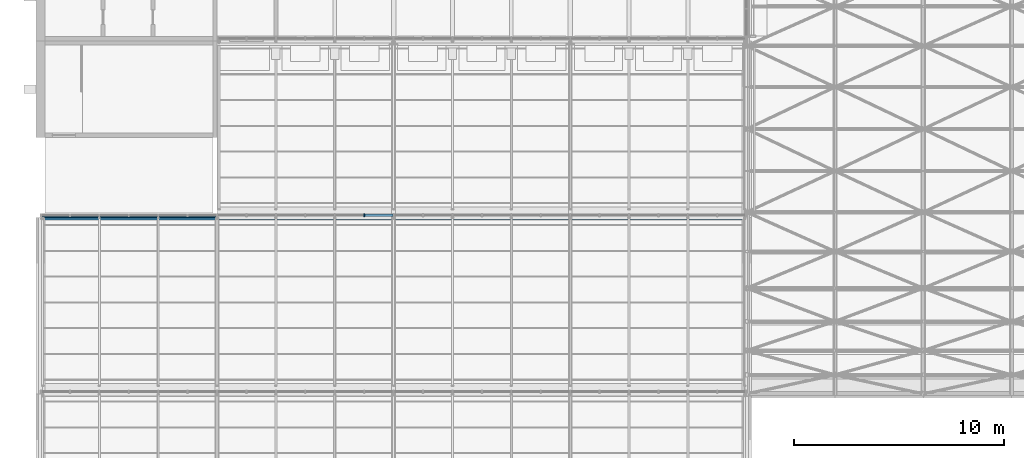
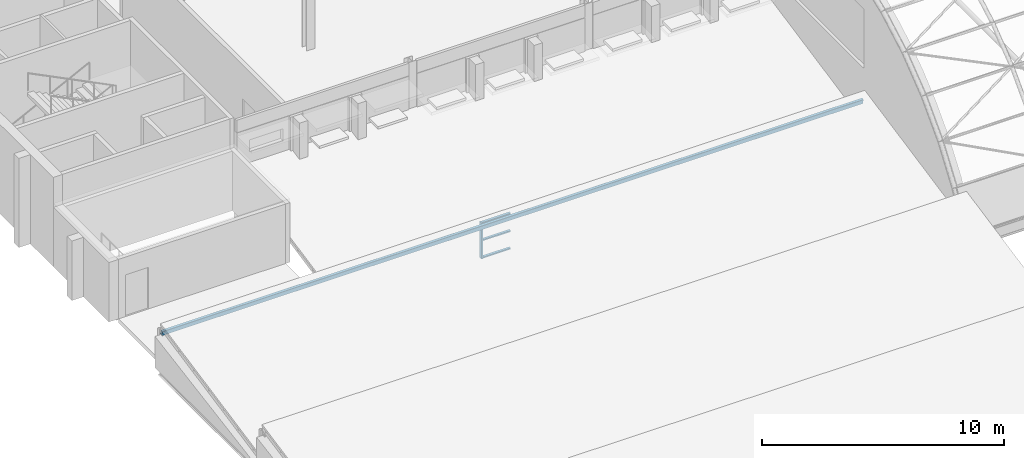
# One storey, part 32 of 121: 4 members, 1 beam, 1 element without a shape of its own.
"""IFC4 building model written with IfcOpenShell, lengths in metres."""

from ifc_helpers import new_model, si_unit, direction, frame, origin, origin_2d, place, context, subcontext, project, spatial, rectangle, hollow_rectangle, extrude, material, layer, layer_set, material_profile, profile_set, type_object, element, aggregate, save


model = new_model("IFC4")

# Units and contexts
model_context = context("Model", 3, precision=1e-05, world=origin(), true_north=direction((0.0, 1.0)))
body_context = subcontext(model_context, "Body", "Model", "MODEL_VIEW")
ifc_project = project(units=[si_unit("LENGTHUNIT", "METRE"), si_unit("AREAUNIT", "SQUARE_METRE"), si_unit("VOLUMEUNIT", "CUBIC_METRE"), si_unit("PLANEANGLEUNIT", "RADIAN"), si_unit("MASSUNIT", "GRAM", prefix="KILO")], contexts=[model_context])

# Site, building, storey
site_placement = place(None, origin())
site = spatial("IfcSite", under=ifc_project, at=site_placement, CompositionType="ELEMENT")
building_placement = place(site_placement, origin())
building = spatial("IfcBuilding", under=site, at=building_placement, Name="Ardhachandra Cancer Care Centre", CompositionType="ELEMENT")
storey_placement = place(building_placement, frame((0.0, 0.0, 9.0)))
storey = spatial("IfcBuildingStorey", under=building, at=storey_placement, Name="L02", CompositionType="ELEMENT", Elevation=9.0)

# Curtain wall, members
ifc_material_1 = material(Name="Aluminium extrusion", Category="aluminium")
ifc_layer = layer(ifc_material_1, 0.14990234375)
ifc_layer_set = layer_set([ifc_layer], Name="Aluminium extrusion")
curtain_wall_type = type_object("IfcCurtainWallType", Name="Curtain wall run", PredefinedType="NOTDEFINED", material=ifc_layer_set)
curtain_wall_placement = place(storey_placement, origin())
curtain_wall = element("IfcCurtainWall", 1, at=curtain_wall_placement, inside=storey, type_object=curtain_wall_type, Name="Curtain wall L02 n/0010800_0063100", PredefinedType="NOTDEFINED")
ifc_material_2 = material(Name="Aluminium extrusion", Category="aluminium")
ifc_material_profile_1 = material_profile(ifc_material_2, rectangle(XDim=0.159912109375, YDim=0.06005859375, at=origin_2d()), Name="Curtain wall mullion 60 x 160")
ifc_profile_set_1 = profile_set([ifc_material_profile_1], Name="Aluminium extrusion")
member_type_1 = type_object("IfcMemberType", Name="Curtain wall mullion 60 x 160", PredefinedType="MULLION", material=ifc_profile_set_1)
member_1_placement = place(storey_placement, frame((26.199951171875, 63.10009765625, 0.0), z_axis=(0.0, 0.0, 1.0), x_axis=(0.0, 1.0, 0.0)))
member_1 = element("IfcMember", 2, at=member_1_placement, type_object=member_type_1, Name="CW mullion 12", PredefinedType="MULLION", context=body_context, shape_type="SweptSolid", body=[
    extrude(rectangle(XDim=0.159912109375, YDim=0.06005859375, at=origin_2d()), origin(), (0.0, 0.0, 1.0), 1.820068359375),
])
ifc_material_3 = material(Name="Aluminium extrusion", Category="aluminium")
ifc_material_profile_2 = material_profile(ifc_material_3, rectangle(XDim=0.1201171875, YDim=0.06005859375, at=origin_2d()), Name="Curtain wall transom 60 x 120")
ifc_profile_set_2 = profile_set([ifc_material_profile_2], Name="Aluminium extrusion")
member_type_2 = type_object("IfcMemberType", Name="Curtain wall transom 60 x 120", PredefinedType="USERDEFINED", material=ifc_profile_set_2)
member_2_placement = place(storey_placement, frame((26.22998046875, 63.10009765625, 0.030029296875), z_axis=(1.0, 0.0, 0.0), x_axis=(0.0, 1.0, 0.0)))
member_2 = element("IfcMember", 3, at=member_2_placement, type_object=member_type_2, Name="CW transom 12.1", ObjectType="TRANSOM", PredefinedType="USERDEFINED", context=body_context, shape_type="SweptSolid", body=[
    extrude(rectangle(XDim=0.1201171875, YDim=0.06005859375, at=origin_2d()), origin(), (0.0, 0.0, 1.0), 1.340087890625),
])
member_3_placement = place(storey_placement, frame((26.22998046875, 63.10009765625, 0.909912109375), z_axis=(1.0, 0.0, 0.0), x_axis=(0.0, 1.0, 0.0)))
member_3 = element("IfcMember", 4, at=member_3_placement, type_object=member_type_2, Name="CW transom 12.2", ObjectType="TRANSOM", PredefinedType="USERDEFINED", context=body_context, shape_type="SweptSolid", body=[
    extrude(rectangle(XDim=0.1201171875, YDim=0.06005859375, at=origin_2d()), origin(), (0.0, 0.0, 1.0), 1.340087890625),
])
member_4_placement = place(storey_placement, frame((26.22998046875, 63.10009765625, 1.7900390625), z_axis=(1.0, 0.0, 0.0), x_axis=(0.0, 1.0, 0.0)))
member_4 = element("IfcMember", 5, at=member_4_placement, type_object=member_type_2, Name="CW transom 12.3", ObjectType="TRANSOM", PredefinedType="USERDEFINED", context=body_context, shape_type="SweptSolid", body=[
    extrude(rectangle(XDim=0.1201171875, YDim=0.06005859375, at=origin_2d()), origin(), (0.0, 0.0, 1.0), 1.340087890625),
])
aggregate(curtain_wall, [member_1, member_2, member_3, member_4])

# Beam
ifc_material_4 = material(Name="Steel E350 (IS 2062)", Category="steel")
ifc_material_profile_3 = material_profile(ifc_material_4, hollow_rectangle(XDim=0.1201171875, YDim=0.239990234375, WallThickness=0.006103515625, InnerFilletRadius=0.006103515625, OuterFilletRadius=0.011962890625, at=origin_2d()), Name="RHS 240x120x6.0")
ifc_profile_set_3 = profile_set([ifc_material_profile_3], Name="Steel E350 (IS 2062)")
beam_type = type_object("IfcBeamType", Name="Sawtooth ridge beam RHS 240x120x6.0", PredefinedType="BEAM", material=ifc_profile_set_3)
beam_placement = place(storey_placement, frame((10.860107421875, 62.949951171875, 1.6875), z_axis=(1.0, 0.0, 0.0), x_axis=(0.0, 0.980106641092, 0.198471590126)))
element("IfcBeam", 6, at=beam_placement, inside=storey, type_object=beam_type, Name="Ridge beam T4a", PredefinedType="BEAM", context=body_context, shape_type="SweptSolid", body=[
    extrude(hollow_rectangle(XDim=0.1201171875, YDim=0.239990234375, WallThickness=0.006103515625, InnerFilletRadius=0.006103515625, OuterFilletRadius=0.011962890625, at=origin_2d()), origin(), (0.0, 0.0, 1.0), 33.43994140625),
])

save(model, "model.ifc")
